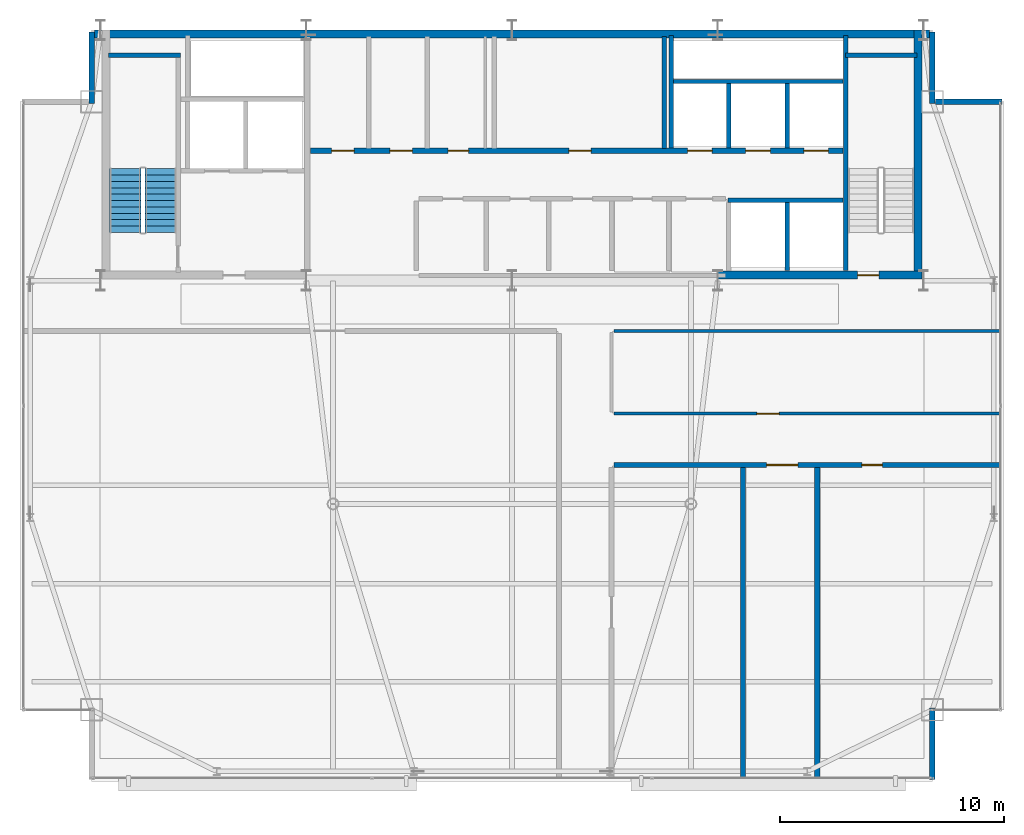
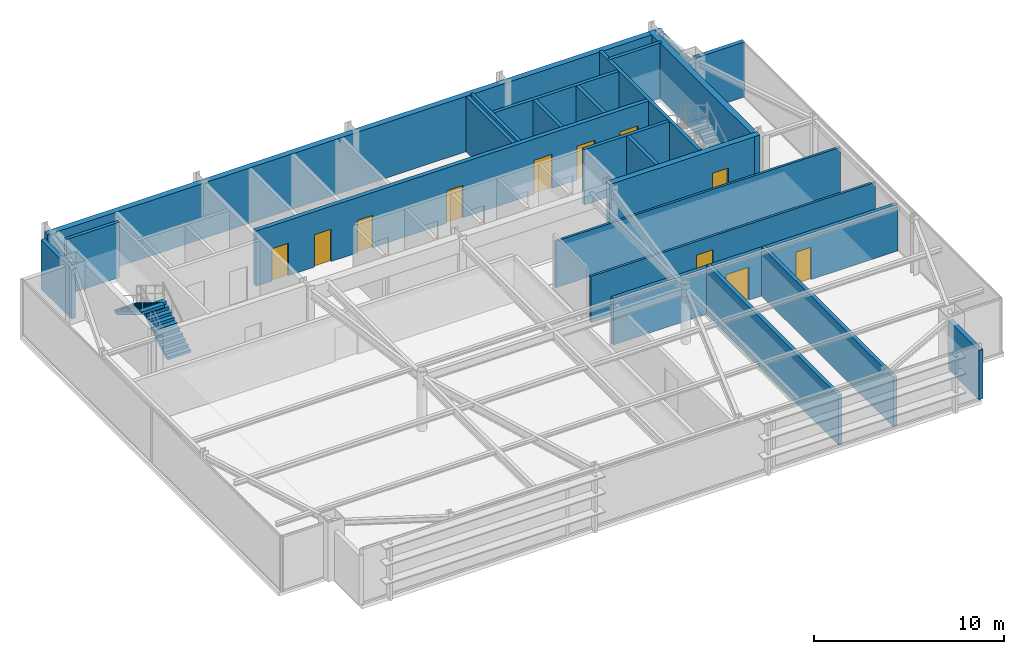
# One storey, part 22 of 24: 23 walls, 11 doors, 2 stair flights, 11 openings, 1 element without a shape of its own.
"""IFC4 building model written with IfcOpenShell, lengths in metres."""

from ifc_helpers import new_model, si_unit, direction, frame, frame_2d, origin, place, context, subcontext, project, spatial, polyline, rectangle, outline, extrude, source, transform, mapped, material, layer, layer_set, type_object, type_shapes, element, fill, aggregate, save


model = new_model("IFC4")

# Units and contexts
model_context = context("Model", 3, precision=1e-05, world=origin(), true_north=direction((0.0, 1.0)))
body_context = subcontext(model_context, "Body", "Model", "MODEL_VIEW")
ifc_project = project(units=[si_unit("LENGTHUNIT", "METRE"), si_unit("AREAUNIT", "SQUARE_METRE"), si_unit("VOLUMEUNIT", "CUBIC_METRE"), si_unit("PLANEANGLEUNIT", "RADIAN"), si_unit("MASSUNIT", "GRAM", prefix="KILO")], contexts=[model_context])

# Site, building, storey
site_placement = place(None, origin())
site = spatial("IfcSite", under=ifc_project, at=site_placement, CompositionType="ELEMENT")
building_placement = place(site_placement, origin())
building = spatial("IfcBuilding", under=site, at=building_placement, Name="Varnel Quay Broadcast Tower", CompositionType="ELEMENT")
storey_placement = place(building_placement, frame((0.0, 0.0, 285.0)))
storey = spatial("IfcBuildingStorey", under=building, at=storey_placement, Name="L71", CompositionType="ELEMENT", Elevation=285.0)

# Walls
ifc_material_1 = material(Name="Concrete CSA A23.3 C50/60", Category="concrete")
ifc_layer_1 = layer(ifc_material_1, 0.199951171875, Name="Concrete CSA A23.3 C50/60")
ifc_layer_set_1 = layer_set([ifc_layer_1], Name="Concrete CSA A23.3 C50/60")
wall_type_1 = type_object("IfcWallType", Name="Wall_CoreShaftShear200", PredefinedType="SHEAR", material=ifc_layer_set_1)
wall_1_placement = place(storey_placement, frame((15.949951171875, 45.679931640625, 0.0), z_axis=(0.0, 0.0, 1.0), x_axis=(1.0, 0.0, 0.0)))
element("IfcWall", 1, at=wall_1_placement, inside=storey, type_object=wall_type_1, Name="L71 Stair 1 North Structural Wall", PredefinedType="SHEAR", context=body_context, shape_type="SweptSolid", body=[
    extrude(rectangle(XDim=3.22998046875, YDim=0.199951171875, at=frame_2d((1.614990234375, 0.0))), origin(), (0.0, 0.0, 1.0), 3.550048828125),
])
wall_2_placement = place(storey_placement, frame((48.919921875, 36.050048828125, 0.0), z_axis=(0.0, 0.0, 1.0), x_axis=(0.0, 1.0, 0.0)))
element("IfcWall", 2, at=wall_2_placement, inside=storey, type_object=wall_type_1, Name="L71 Stair 2 West Structural Wall", PredefinedType="SHEAR", context=body_context, shape_type="SweptSolid", body=[
    extrude(rectangle(XDim=10.5, YDim=0.199951171875, at=frame_2d((5.25, 0.0))), origin(), (0.0, 0.0, 1.0), 3.550048828125),
])
wall_3_placement = place(storey_placement, frame((48.919921875, 45.679931640625, 0.0), z_axis=(0.0, 0.0, 1.0), x_axis=(1.0, 0.0, 0.0)))
element("IfcWall", 3, at=wall_3_placement, inside=storey, type_object=wall_type_1, Name="L71 Stair 2 North Structural Wall", PredefinedType="SHEAR", context=body_context, shape_type="SweptSolid", body=[
    extrude(rectangle(XDim=3.18017578125, YDim=0.199951171875, at=frame_2d((1.590087890625, 0.0))), origin(), (0.0, 0.0, 1.0), 3.550048828125),
])
wall_4_placement = place(storey_placement, frame((41.219970703125, 44.5, 0.0), z_axis=(0.0, 0.0, 1.0), x_axis=(1.0, 0.0, 0.0)))
element("IfcWall", 4, at=wall_4_placement, inside=storey, type_object=wall_type_1, Name="L71 High-Rise Lift Shaft Rear Wall", PredefinedType="SHEAR", context=body_context, shape_type="SweptSolid", body=[
    extrude(rectangle(XDim=7.580078125, YDim=0.199951171875, at=frame_2d((3.7900390625, 0.0))), origin(), (0.0, 0.0, 1.0), 3.550048828125),
])
wall_5_placement = place(storey_placement, frame((41.1201171875, 41.530029296875, 0.0), z_axis=(0.0, 0.0, 1.0), x_axis=(0.0, 1.0, 0.0)))
element("IfcWall", 5, at=wall_5_placement, inside=storey, type_object=wall_type_1, Name="L71 High-Rise Lift Shaft Divider 1", PredefinedType="SHEAR", context=body_context, shape_type="SweptSolid", body=[
    extrude(rectangle(XDim=5.02001953125, YDim=0.199951171875, at=frame_2d((2.510009765625, 0.0))), origin(), (0.0, 0.0, 1.0), 3.550048828125),
])
for number, where, z_axis, x_axis, name in (
    (6, (43.699951171875, 41.530029296875, 0.0), (0.0, 0.0, 1.0), (0.0, 1.0, 0.0), "L71 High-Rise Lift Shaft Divider 2"),
    (7, (46.300048828125, 41.530029296875, 0.0), (0.0, 0.0, 1.0), (0.0, 1.0, 0.0), "L71 High-Rise Lift Shaft Divider 3"),
):
    element("IfcWall", number, at=place(storey_placement, frame(where, z_axis=z_axis, x_axis=x_axis)), inside=storey, type_object=wall_type_1, Name=name, PredefinedType="SHEAR", context=body_context, shape_type="SweptSolid", body=[
        extrude(rectangle(XDim=2.869873046875, YDim=0.199951171875, at=frame_2d((1.43505859375, 0.0))), origin(), (0.0, 0.0, 1.0), 3.550048828125),
    ])
wall_6_placement = place(storey_placement, frame((46.300048828125, 36.050048828125, 0.0), z_axis=(0.0, 0.0, 1.0), x_axis=(0.0, 1.0, 0.0)))
element("IfcWall", 8, at=wall_6_placement, inside=storey, type_object=wall_type_1, Name="L71 Express Lift Shaft Divider", PredefinedType="SHEAR", context=body_context, shape_type="SweptSolid", body=[
    extrude(rectangle(XDim=3.050048828125, YDim=0.199951171875, at=frame_2d((1.52490234375, 0.0))), origin(), (0.0, 0.0, 1.0), 3.550048828125),
])
wall_7_placement = place(storey_placement, frame((43.64990234375, 39.199951171875, 0.0), z_axis=(0.0, 0.0, 1.0), x_axis=(1.0, 0.0, 0.0)))
element("IfcWall", 9, at=wall_7_placement, inside=storey, type_object=wall_type_1, Name="L71 Express Lift Shaft North Front Wall", PredefinedType="SHEAR", context=body_context, shape_type="SweptSolid", body=[
    extrude(rectangle(XDim=5.150146484375, YDim=0.199951171875, at=frame_2d((2.5751953125, 0.0))), origin(), (0.0, 0.0, 1.0), 3.550048828125),
])

# Wall, openings, doors
ifc_layer_2 = layer(ifc_material_1, 0.25, Name="Concrete CSA A23.3 C50/60")
ifc_layer_set_2 = layer_set([ifc_layer_2], Name="Concrete CSA A23.3 C50/60")
wall_type_2 = type_object("IfcWallType", Name="Wall_CoreShaftShear250", PredefinedType="SHEAR", material=ifc_layer_set_2)
wall_8_placement = place(storey_placement, frame((24.97998046875, 41.39990234375, 0.0), z_axis=(0.0, 0.0, 1.0), x_axis=(1.0, 0.0, 0.0)))
wall_8 = element("IfcWall", 10, at=wall_8_placement, inside=storey, type_object=wall_type_2, Name="L71 North Lift Bank & Reclaimed Suite Wall", PredefinedType="SHEAR", context=body_context, shape_type="SweptSolid", body=[
    extrude(rectangle(XDim=23.820068359375, YDim=0.25, at=frame_2d((11.91015625, 0.0))), origin(), (0.0, 0.0, 1.0), 3.550048828125),
])
opening_1_placement = place(wall_8_placement, frame((16.8701171875, 0.0, 0.0)))
opening_1 = element("IfcOpeningElement", 11, at=opening_1_placement, cuts=wall_8, Name="Opening LD-L71-PH-01", PredefinedType="OPENING", context=body_context, shape_type="SweptSolid", body=[
    extrude(rectangle(XDim=1.10009765625, YDim=2.179931640625, at=frame_2d((0.550048828125, 1.08984375))), frame((0.0, 0.135009765625, 0.0), z_axis=(0.0, -1.0, 0.0), x_axis=(1.0, 0.0, 0.0)), (0.0, 0.0, 1.0), 0.27001953125),
])
opening_2_placement = place(wall_8_placement, frame((19.469970703125, 0.0, 0.0)))
opening_2 = element("IfcOpeningElement", 12, at=opening_2_placement, cuts=wall_8, Name="Opening LD-L71-PH-02", PredefinedType="OPENING", context=body_context, shape_type="SweptSolid", body=[
    extrude(rectangle(XDim=1.10009765625, YDim=2.179931640625, at=frame_2d((0.550048828125, 1.08984375))), frame((0.0, 0.135009765625, 0.0), z_axis=(0.0, -1.0, 0.0), x_axis=(1.0, 0.0, 0.0)), (0.0, 0.0, 1.0), 0.27001953125),
])
opening_3_placement = place(wall_8_placement, frame((22.070068359375, 0.0, 0.0)))
opening_3 = element("IfcOpeningElement", 13, at=opening_3_placement, cuts=wall_8, Name="Opening LD-L71-PH-03", PredefinedType="OPENING", context=body_context, shape_type="SweptSolid", body=[
    extrude(rectangle(XDim=1.10009765625, YDim=2.179931640625, at=frame_2d((0.550048828125, 1.08984375))), frame((0.0, 0.135009765625, 0.0), z_axis=(0.0, -1.0, 0.0), x_axis=(1.0, 0.0, 0.0)), (0.0, 0.0, 1.0), 0.27001953125),
])
opening_4_placement = place(wall_8_placement, frame((0.9599609375, 0.0, 0.0)))
opening_4 = element("IfcOpeningElement", 14, at=opening_4_placement, cuts=wall_8, Name="Opening D-L71-RECA1", PredefinedType="OPENING", context=body_context, shape_type="SweptSolid", body=[
    extrude(rectangle(XDim=1.0, YDim=2.080078125, at=frame_2d((0.5, 1.0400390625))), frame((0.0, 0.135009765625, 0.0), z_axis=(0.0, -1.0, 0.0), x_axis=(1.0, 0.0, 0.0)), (0.0, 0.0, 1.0), 0.27001953125),
])
opening_5_placement = place(wall_8_placement, frame((3.56005859375, 0.0, 0.0)))
opening_5 = element("IfcOpeningElement", 15, at=opening_5_placement, cuts=wall_8, Name="Opening D-L71-RECA2", PredefinedType="OPENING", context=body_context, shape_type="SweptSolid", body=[
    extrude(rectangle(XDim=1.0, YDim=2.080078125, at=frame_2d((0.5, 1.0400390625))), frame((0.0, 0.135009765625, 0.0), z_axis=(0.0, -1.0, 0.0), x_axis=(1.0, 0.0, 0.0)), (0.0, 0.0, 1.0), 0.27001953125),
])
opening_6_placement = place(wall_8_placement, frame((6.159912109375, 0.0, 0.0)))
opening_6 = element("IfcOpeningElement", 16, at=opening_6_placement, cuts=wall_8, Name="Opening D-L71-RECA3", PredefinedType="OPENING", context=body_context, shape_type="SweptSolid", body=[
    extrude(rectangle(XDim=0.919921875, YDim=2.080078125, at=frame_2d((0.4599609375, 1.0400390625))), frame((0.0, 0.135009765625, 0.0), z_axis=(0.0, -1.0, 0.0), x_axis=(1.0, 0.0, 0.0)), (0.0, 0.0, 1.0), 0.27001953125),
])
opening_7_placement = place(wall_8_placement, frame((11.56005859375, 0.0, 0.0)))
opening_7 = element("IfcOpeningElement", 17, at=opening_7_placement, cuts=wall_8, Name="Opening D-L71-RECB1", PredefinedType="OPENING", context=body_context, shape_type="SweptSolid", body=[
    extrude(rectangle(XDim=1.0, YDim=2.080078125, at=frame_2d((0.5, 1.0400390625))), frame((0.0, 0.135009765625, 0.0), z_axis=(0.0, -1.0, 0.0), x_axis=(1.0, 0.0, 0.0)), (0.0, 0.0, 1.0), 0.27001953125),
])
ifc_material_2 = material(Name="Brushed Bronze-Stainless Lift Car & Sliding Doors", Category="steel")
door_type_1 = type_object("IfcDoorType", Name="Door_LiftLanding1100", OperationType="SLIDING_TO_LEFT", PredefinedType="DOOR", material=ifc_material_2)
shared_shape_1 = source(origin(), body_context, "Body", "SweptSolid", [
    extrude(rectangle(XDim=1.10009765625, YDim=2.179931640625, at=frame_2d((0.550048828125, 1.08984375))), frame((0.0, 0.02490234375, 0.0), z_axis=(0.0, -1.0, 0.0), x_axis=(1.0, 0.0, 0.0)), (0.0, 0.0, 1.0), 0.050048828125),
])
type_shapes(door_type_1, [shared_shape_1])
door_1_placement = place(opening_1_placement, frame((1.10009765625, 0.0, 0.0), z_axis=(0.0, 0.0, 1.0), x_axis=(-1.0, 0.0, 0.0)))
door_1 = element("IfcDoor", 18, at=door_1_placement, inside=storey, type_object=door_type_1, Name="L71 Lift PH-01 Landing Door", OperationType="SLIDING_TO_LEFT", OverallHeight=2.179931640625, OverallWidth=1.10009765625, PredefinedType="DOOR", context=body_context, shape_type="MappedRepresentation", body=[
    mapped(shared_shape_1, transform((0.0, 0.0, 0.0), x_axis=(1.0, 0.0, 0.0), y_axis=(0.0, 1.0, 0.0), z_axis=(0.0, 0.0, 1.0), scale=1.0)),
])
fill(opening_1, door_1)
door_2_placement = place(opening_2_placement, frame((1.10009765625, 0.0, 0.0), z_axis=(0.0, 0.0, 1.0), x_axis=(-1.0, 0.0, 0.0)))
door_2 = element("IfcDoor", 19, at=door_2_placement, inside=storey, type_object=door_type_1, Name="L71 Lift PH-02 Landing Door", OperationType="SLIDING_TO_LEFT", OverallHeight=2.179931640625, OverallWidth=1.10009765625, PredefinedType="DOOR", context=body_context, shape_type="MappedRepresentation", body=[
    mapped(shared_shape_1, transform((0.0, 0.0, 0.0), x_axis=(1.0, 0.0, 0.0), y_axis=(0.0, 1.0, 0.0), z_axis=(0.0, 0.0, 1.0), scale=1.0)),
])
fill(opening_2, door_2)
door_3_placement = place(opening_3_placement, frame((1.10009765625, 0.0, 0.0), z_axis=(0.0, 0.0, 1.0), x_axis=(-1.0, 0.0, 0.0)))
door_3 = element("IfcDoor", 20, at=door_3_placement, inside=storey, type_object=door_type_1, Name="L71 Lift PH-03 Landing Door", OperationType="SLIDING_TO_LEFT", OverallHeight=2.179931640625, OverallWidth=1.10009765625, PredefinedType="DOOR", context=body_context, shape_type="MappedRepresentation", body=[
    mapped(shared_shape_1, transform((0.0, 0.0, 0.0), x_axis=(1.0, 0.0, 0.0), y_axis=(0.0, 1.0, 0.0), z_axis=(0.0, 0.0, 1.0), scale=1.0)),
])
fill(opening_3, door_3)
ifc_material_3 = material(Name="Insulated Fire-Rated Hollow Steel Door", Category="steel")
door_type_2 = type_object("IfcDoorType", Name="Door_FireLobby1000", OperationType="NOTDEFINED", PredefinedType="DOOR", material=ifc_material_3)
shared_shape_2 = source(origin(), body_context, "Body", "SweptSolid", [
    extrude(rectangle(XDim=1.0, YDim=2.080078125, at=frame_2d((0.5, 1.0400390625))), frame((0.0, 0.02490234375, 0.0), z_axis=(0.0, -1.0, 0.0), x_axis=(1.0, 0.0, 0.0)), (0.0, 0.0, 1.0), 0.050048828125),
])
type_shapes(door_type_2, [shared_shape_2])
door_4_placement = place(opening_4_placement, origin())
door_4 = element("IfcDoor", 21, at=door_4_placement, inside=storey, type_object=door_type_2, Name="L71 Ingest Rack Bay A Door", OperationType="SINGLE_SWING_LEFT", OverallHeight=2.080078125, OverallWidth=1.0, PredefinedType="DOOR", context=body_context, shape_type="MappedRepresentation", body=[
    mapped(shared_shape_2, transform((0.0, 0.0, 0.0), x_axis=(1.0, 0.0, 0.0), y_axis=(0.0, 1.0, 0.0), z_axis=(0.0, 0.0, 1.0), scale=1.0)),
])
fill(opening_4, door_4)
door_5_placement = place(opening_5_placement, origin())
door_5 = element("IfcDoor", 22, at=door_5_placement, inside=storey, type_object=door_type_2, Name="L71 Fiber Patch Bay Door", OperationType="SINGLE_SWING_RIGHT", OverallHeight=2.080078125, OverallWidth=1.0, PredefinedType="DOOR", context=body_context, shape_type="MappedRepresentation", body=[
    mapped(shared_shape_2, transform((0.0, 0.0, 0.0), x_axis=(1.0, 0.0, 0.0), y_axis=(0.0, 1.0, 0.0), z_axis=(0.0, 0.0, 1.0), scale=1.0)),
])
fill(opening_5, door_5)
door_6_placement = place(opening_7_placement, origin())
door_6 = element("IfcDoor", 23, at=door_6_placement, inside=storey, type_object=door_type_2, Name="L71 High-Zone Broadcast Rack Hall Door", OperationType="SINGLE_SWING_RIGHT", OverallHeight=2.080078125, OverallWidth=1.0, PredefinedType="DOOR", context=body_context, shape_type="MappedRepresentation", body=[
    mapped(shared_shape_2, transform((0.0, 0.0, 0.0), x_axis=(1.0, 0.0, 0.0), y_axis=(0.0, 1.0, 0.0), z_axis=(0.0, 0.0, 1.0), scale=1.0)),
])
fill(opening_7, door_6)
ifc_material_4 = material(Name="Solid-Core Fire-Rated Acoustic Oak Veneer Door", Category="wood")
door_type_3 = type_object("IfcDoorType", Name="Door_Office920", OperationType="NOTDEFINED", PredefinedType="DOOR", material=ifc_material_4)
shared_shape_3 = source(origin(), body_context, "Body", "SweptSolid", [
    extrude(rectangle(XDim=0.919921875, YDim=2.080078125, at=frame_2d((0.4599609375, 1.0400390625))), frame((0.0, 0.02490234375, 0.0), z_axis=(0.0, -1.0, 0.0), x_axis=(1.0, 0.0, 0.0)), (0.0, 0.0, 1.0), 0.050048828125),
])
type_shapes(door_type_3, [shared_shape_3])
door_7_placement = place(opening_6_placement, origin())
door_7 = element("IfcDoor", 24, at=door_7_placement, inside=storey, type_object=door_type_3, Name="L71 Telemetry Store Door", OperationType="SINGLE_SWING_LEFT", OverallHeight=2.080078125, OverallWidth=0.919921875, PredefinedType="DOOR", context=body_context, shape_type="MappedRepresentation", body=[
    mapped(shared_shape_3, transform((0.0, 0.0, 0.0), x_axis=(1.0, 0.0, 0.0), y_axis=(0.0, 1.0, 0.0), z_axis=(0.0, 0.0, 1.0), scale=1.0)),
])
fill(opening_6, door_7)

# Walls
ifc_layer_3 = layer(ifc_material_1, 0.35009765625, Name="Concrete CSA A23.3 C50/60")
ifc_layer_set_3 = layer_set([ifc_layer_3], Name="Concrete CSA A23.3 C50/60")
wall_type_3 = type_object("IfcWallType", Name="Wall_CoreShearExt350", PredefinedType="SHEAR", material=ifc_layer_set_3)
wall_9_placement = place(storey_placement, frame((15.324951171875, 46.625, 0.0), z_axis=(0.0, 0.0, 1.0), x_axis=(1.0, 0.0, 0.0)))
element("IfcWall", 25, at=wall_9_placement, inside=storey, type_object=wall_type_3, Name="L71 North Core Shear Wall", PredefinedType="SHEAR", context=body_context, shape_type="SweptSolid", body=[
    extrude(rectangle(XDim=37.35009765625, YDim=0.35009765625, at=frame_2d((18.675048828125, 0.0))), origin(), (0.0, 0.0, 1.0), 3.550048828125),
])
ifc_layer_4 = layer(ifc_material_1, 0.35009765625, Name="Concrete CSA A23.3 C50/60")
ifc_layer_set_4 = layer_set([ifc_layer_4], Name="Concrete CSA A23.3 C50/60")
wall_type_4 = type_object("IfcWallType", Name="Wall_CoreShearInt350", PredefinedType="SHEAR", material=ifc_layer_set_4)
wall_10_placement = place(storey_placement, frame((52.155029296875, 35.669921875, 0.0), z_axis=(0.0, 0.0, 1.0), x_axis=(0.0, 1.0, 0.0)))
element("IfcWall", 26, at=wall_10_placement, inside=storey, type_object=wall_type_4, Name="L71 East Core Shear Wall", PredefinedType="SHEAR", context=body_context, shape_type="SweptSolid", body=[
    extrude(rectangle(XDim=11.130126953125, YDim=0.35009765625, at=frame_2d((5.56494140625, 0.0))), origin(), (0.0, 0.0, 1.0), 3.550048828125),
])

# Wall, opening, door
wall_11_placement = place(storey_placement, frame((43.199951171875, 35.844970703125, 0.0), z_axis=(0.0, 0.0, 1.0), x_axis=(1.0, 0.0, 0.0)))
wall_11 = element("IfcWall", 27, at=wall_11_placement, inside=storey, type_object=wall_type_4, Name="L71 South-East Core Shear Wall", PredefinedType="SHEAR", context=body_context, shape_type="SweptSolid", body=[
    extrude(rectangle(XDim=9.130126953125, YDim=0.35009765625, at=frame_2d((4.56494140625, 0.0))), origin(), (0.0, 0.0, 1.0), 3.550048828125),
])
opening_8_placement = place(wall_11_placement, frame((6.25, 0.0, 0.0)))
opening_8 = element("IfcOpeningElement", 28, at=opening_8_placement, cuts=wall_11, Name="Opening D-L71-S2", PredefinedType="OPENING", context=body_context, shape_type="SweptSolid", body=[
    extrude(rectangle(XDim=0.949951171875, YDim=2.10009765625, at=frame_2d((0.47509765625, 1.050048828125))), frame((0.0, 0.18505859375, 0.0), z_axis=(0.0, -1.0, 0.0), x_axis=(1.0, 0.0, 0.0)), (0.0, 0.0, 1.0), 0.3701171875),
])
door_type_4 = type_object("IfcDoorType", Name="Door_FireStair950", OperationType="NOTDEFINED", PredefinedType="DOOR", material=ifc_material_3)
shared_shape_4 = source(origin(), body_context, "Body", "SweptSolid", [
    extrude(rectangle(XDim=0.949951171875, YDim=2.10009765625, at=frame_2d((0.47509765625, 1.050048828125))), frame((0.0, 0.02490234375, 0.0), z_axis=(0.0, -1.0, 0.0), x_axis=(1.0, 0.0, 0.0)), (0.0, 0.0, 1.0), 0.050048828125),
])
type_shapes(door_type_4, [shared_shape_4])
door_8_placement = place(opening_8_placement, origin())
door_8 = element("IfcDoor", 29, at=door_8_placement, inside=storey, type_object=door_type_4, Name="L71 Stair 2 Fire Door", OperationType="SINGLE_SWING_RIGHT", OverallHeight=2.10009765625, OverallWidth=0.949951171875, PredefinedType="DOOR", context=body_context, shape_type="MappedRepresentation", body=[
    mapped(shared_shape_4, transform((0.0, 0.0, 0.0), x_axis=(1.0, 0.0, 0.0), y_axis=(0.0, 1.0, 0.0), z_axis=(0.0, 0.0, 1.0), scale=1.0)),
])
fill(opening_8, door_8)

# Walls
ifc_material_5 = material(Name="Precast Architectural Concrete C40/50", Category="concrete")
ifc_layer_5 = layer(ifc_material_5, 0.25, Name="Precast Architectural Concrete C40/50")
ifc_layer_set_5 = layer_set([ifc_layer_5], Name="Precast Architectural Concrete C40/50")
wall_type_5 = type_object("IfcWallType", Name="Wall_ExtTerrace250", PredefinedType="SOLIDWALL", material=ifc_layer_set_5)
for number, where, z_axis, x_axis, name in (
    (30, (52.800048828125, 13.280029296875, 0.0), (0.0, 0.0, 1.0), (0.0, 1.0, 0.0), "L71 Mega-Column Notch Cladding Wall NSE2"),
    (31, (15.199951171875, 43.52001953125, 0.0), (0.0, 0.0, 1.0), (0.0, 1.0, 0.0), "L71 Mega-Column Notch Cladding Wall NNW2"),
):
    element("IfcWall", number, at=place(storey_placement, frame(where, z_axis=z_axis, x_axis=x_axis)), inside=storey, type_object=wall_type_5, Name=name, PredefinedType="SOLIDWALL", context=body_context, shape_type="SweptSolid", body=[
        extrude(rectangle(XDim=3.199951171875, YDim=0.25, at=frame_2d((1.60009765625, 0.0))), origin(), (0.0, 0.0, 1.0), 3.1708984375),
    ])
wall_12_placement = place(storey_placement, frame((52.929931640625, 43.60009765625, 0.0), z_axis=(0.0, 0.0, 1.0), x_axis=(1.0, 0.0, 0.0)))
element("IfcWall", 32, at=wall_12_placement, inside=storey, type_object=wall_type_5, Name="L71 Mega-Column Notch Cladding Wall NNE1", PredefinedType="SOLIDWALL", context=body_context, shape_type="SweptSolid", body=[
    extrude(rectangle(XDim=2.989990234375, YDim=0.25, at=frame_2d((1.4951171875, 0.0))), origin(), (0.0, 0.0, 1.0), 3.530029296875),
])
wall_13_placement = place(storey_placement, frame((52.800048828125, 43.52001953125, 0.0), z_axis=(0.0, 0.0, 1.0), x_axis=(0.0, 1.0, 0.0)))
element("IfcWall", 33, at=wall_13_placement, inside=storey, type_object=wall_type_5, Name="L71 Mega-Column Notch Cladding Wall NNE2", PredefinedType="SOLIDWALL", context=body_context, shape_type="SweptSolid", body=[
    extrude(rectangle(XDim=3.199951171875, YDim=0.25, at=frame_2d((1.60009765625, 0.0))), origin(), (0.0, 0.0, 1.0), 3.1708984375),
])
ifc_material_6 = material(Name="Concrete Blockwork Fire Enclosure C40/50", Category="masonry")
ifc_layer_6 = layer(ifc_material_6, 0.199951171875, Name="Concrete Blockwork Fire Enclosure C40/50")
ifc_layer_set_6 = layer_set([ifc_layer_6], Name="Concrete Blockwork Fire Enclosure C40/50")
wall_type_6 = type_object("IfcWallType", Name="Wall_FireShaft200", PredefinedType="SOLIDWALL", material=ifc_layer_set_6)
wall_14_placement = place(storey_placement, frame((40.800048828125, 41.5, 0.0), z_axis=(0.0, 0.0, 1.0), x_axis=(0.0, 1.0, 0.0)))
element("IfcWall", 34, at=wall_14_placement, inside=storey, type_object=wall_type_6, Name="L71 High-Zone Broadcast Rack Hall Partition 20", PredefinedType="SOLIDWALL", context=body_context, shape_type="SweptSolid", body=[
    extrude(rectangle(XDim=5.02001953125, YDim=0.199951171875, at=frame_2d((2.510009765625, 0.0))), origin(), (0.0, 0.0, 1.0), 3.530029296875),
])

# Wall, opening, door
ifc_material_7 = material(Name="Steel-Stud Fire-Rated Acoustic Gypsum Partition Assembly", Category="steel")
ifc_layer_7 = layer(ifc_material_7, 0.139892578125, Name="Steel-Stud Fire-Rated Acoustic Gypsum Partition Assembly")
ifc_layer_set_7 = layer_set([ifc_layer_7], Name="Steel-Stud Fire-Rated Acoustic Gypsum Partition Assembly")
wall_type_7 = type_object("IfcWallType", Name="Wall_Partition140", PredefinedType="PARTITIONING", material=ifc_layer_set_7)
wall_15_placement = place(storey_placement, frame((38.550048828125, 29.64990234375, 0.0), z_axis=(0.0, 0.0, 1.0), x_axis=(1.0, 0.0, 0.0)))
wall_15 = element("IfcWall", 35, at=wall_15_placement, inside=storey, type_object=wall_type_7, Name="L71 Talent Lounge 5 Partition 14", PredefinedType="PARTITIONING", context=body_context, shape_type="SweptSolid", body=[
    extrude(rectangle(XDim=17.27001953125, YDim=0.139892578125, at=frame_2d((8.635009765625, 0.0))), origin(), (0.0, 0.0, 1.0), 2.98095703125),
])
opening_9_placement = place(wall_15_placement, frame((6.39990234375, 0.0, 0.0)))
opening_9 = element("IfcOpeningElement", 36, at=opening_9_placement, cuts=wall_15, Name="Opening D-L71-10", PredefinedType="OPENING", context=body_context, shape_type="SweptSolid", body=[
    extrude(rectangle(XDim=1.0, YDim=2.10009765625, at=frame_2d((0.5, 1.050048828125))), frame((0.0, 0.080078125, 0.0), z_axis=(0.0, -1.0, 0.0), x_axis=(1.0, 0.0, 0.0)), (0.0, 0.0, 1.0), 0.159912109375),
])
door_type_5 = type_object("IfcDoorType", Name="Door_Exec1000", OperationType="NOTDEFINED", PredefinedType="DOOR", material=ifc_material_4)
shared_shape_5 = source(origin(), body_context, "Body", "SweptSolid", [
    extrude(rectangle(XDim=1.0, YDim=2.10009765625, at=frame_2d((0.5, 1.050048828125))), frame((0.0, 0.02490234375, 0.0), z_axis=(0.0, -1.0, 0.0), x_axis=(1.0, 0.0, 0.0)), (0.0, 0.0, 1.0), 0.050048828125),
])
type_shapes(door_type_5, [shared_shape_5])
door_9_placement = place(opening_9_placement, origin())
door_9 = element("IfcDoor", 37, at=door_9_placement, inside=storey, type_object=door_type_5, Name="L71 Talent Lounge 5 Door D-L71-10", OperationType="SINGLE_SWING_LEFT", OverallHeight=2.10009765625, OverallWidth=1.0, PredefinedType="DOOR", context=body_context, shape_type="MappedRepresentation", body=[
    mapped(shared_shape_5, transform((0.0, 0.0, 0.0), x_axis=(1.0, 0.0, 0.0), y_axis=(0.0, 1.0, 0.0), z_axis=(0.0, 0.0, 1.0), scale=1.0)),
])
fill(opening_9, door_9)

# Walls
wall_16_placement = place(storey_placement, frame((38.550048828125, 33.35009765625, 0.0), z_axis=(0.0, 0.0, 1.0), x_axis=(1.0, 0.0, 0.0)))
element("IfcWall", 38, at=wall_16_placement, inside=storey, type_object=wall_type_7, Name="L71 Talent Lounge 5 Partition 15", PredefinedType="PARTITIONING", context=body_context, shape_type="SweptSolid", body=[
    extrude(rectangle(XDim=17.27001953125, YDim=0.139892578125, at=frame_2d((8.635009765625, 0.0))), origin(), (0.0, 0.0, 1.0), 2.98095703125),
])
ifc_layer_8 = layer(ifc_material_7, 0.22509765625, Name="Steel-Stud Fire-Rated Acoustic Gypsum Partition Assembly")
ifc_layer_set_8 = layer_set([ifc_layer_8], Name="Steel-Stud Fire-Rated Acoustic Gypsum Partition Assembly")
wall_type_8 = type_object("IfcWallType", Name="Wall_Partition225", PredefinedType="PARTITIONING", material=ifc_layer_set_8)
wall_17_placement = place(storey_placement, frame((44.320068359375, 13.3798828125, 0.0), z_axis=(0.0, 0.0, 1.0), x_axis=(0.0, 1.0, 0.0)))
element("IfcWall", 39, at=wall_17_placement, inside=storey, type_object=wall_type_8, Name="L71 Foley Sound Studio 2 Partition 10", PredefinedType="PARTITIONING", context=body_context, shape_type="SweptSolid", body=[
    extrude(rectangle(XDim=13.858154296875, YDim=0.22509765625, at=frame_2d((6.92919921875, 0.0))), origin(), (0.0, 0.0, 1.0), 3.1708984375),
])

# Wall, openings, doors
wall_18_placement = place(storey_placement, frame((38.550048828125, 27.35009765625, 0.0), z_axis=(0.0, 0.0, 1.0), x_axis=(1.0, 0.0, 0.0)))
wall_18 = element("IfcWall", 40, at=wall_18_placement, inside=storey, type_object=wall_type_8, Name="L71 Foley Sound Studio 2 Partition 11", PredefinedType="PARTITIONING", context=body_context, shape_type="SweptSolid", body=[
    extrude(rectangle(XDim=17.27001953125, YDim=0.22509765625, at=frame_2d((8.635009765625, 0.0))), origin(), (0.0, 0.0, 1.0), 2.98095703125),
])
opening_10_placement = place(wall_18_placement, frame((6.8349609375, 0.0, 0.0)))
opening_10 = element("IfcOpeningElement", 41, at=opening_10_placement, cuts=wall_18, Name="Opening D-L71-08", PredefinedType="OPENING", context=body_context, shape_type="SweptSolid", body=[
    extrude(rectangle(XDim=1.39990234375, YDim=2.1201171875, at=frame_2d((0.699951171875, 1.06005859375))), frame((0.0, 0.12255859375, 0.0), z_axis=(0.0, -1.0, 0.0), x_axis=(1.0, 0.0, 0.0)), (0.0, 0.0, 1.0), 0.2451171875),
])
opening_11_placement = place(wall_18_placement, frame((11.090087890625, 0.0, 0.0)))
opening_11 = element("IfcOpeningElement", 42, at=opening_11_placement, cuts=wall_18, Name="Opening D-L71-09", PredefinedType="OPENING", context=body_context, shape_type="SweptSolid", body=[
    extrude(rectangle(XDim=0.919921875, YDim=2.080078125, at=frame_2d((0.4599609375, 1.0400390625))), frame((0.0, 0.12255859375, 0.0), z_axis=(0.0, -1.0, 0.0), x_axis=(1.0, 0.0, 0.0)), (0.0, 0.0, 1.0), 0.2451171875),
])
door_10_placement = place(opening_11_placement, frame((0.919921875, 0.0, 0.0), z_axis=(0.0, 0.0, 1.0), x_axis=(-1.0, 0.0, 0.0)))
door_10 = element("IfcDoor", 43, at=door_10_placement, inside=storey, type_object=door_type_3, Name="L71 Audio Control Room 4 Door D-L71-09", OperationType="SINGLE_SWING_RIGHT", OverallHeight=2.080078125, OverallWidth=0.919921875, PredefinedType="DOOR", context=body_context, shape_type="MappedRepresentation", body=[
    mapped(shared_shape_3, transform((0.0, 0.0, 0.0), x_axis=(1.0, 0.0, 0.0), y_axis=(0.0, 1.0, 0.0), z_axis=(0.0, 0.0, 1.0), scale=1.0)),
])
fill(opening_11, door_10)
door_type_6 = type_object("IfcDoorType", Name="Door_Gallery1400", OperationType="DOUBLE_DOOR_SINGLE_SWING", PredefinedType="DOOR", material=ifc_material_4)
shared_shape_6 = source(origin(), body_context, "Body", "SweptSolid", [
    extrude(rectangle(XDim=1.39990234375, YDim=2.1201171875, at=frame_2d((0.699951171875, 1.06005859375))), frame((0.0, 0.02490234375, 0.0), z_axis=(0.0, -1.0, 0.0), x_axis=(1.0, 0.0, 0.0)), (0.0, 0.0, 1.0), 0.050048828125),
])
type_shapes(door_type_6, [shared_shape_6])
door_11_placement = place(opening_10_placement, frame((1.39990234375, 0.0, 0.0), z_axis=(0.0, 0.0, 1.0), x_axis=(-1.0, 0.0, 0.0)))
door_11 = element("IfcDoor", 44, at=door_11_placement, inside=storey, type_object=door_type_6, Name="L71 Voice Booth 3 Door D-L71-08", OperationType="DOUBLE_DOOR_SINGLE_SWING", OverallHeight=2.1201171875, OverallWidth=1.39990234375, PredefinedType="DOOR", context=body_context, shape_type="MappedRepresentation", body=[
    mapped(shared_shape_6, transform((0.0, 0.0, 0.0), x_axis=(1.0, 0.0, 0.0), y_axis=(0.0, 1.0, 0.0), z_axis=(0.0, 0.0, 1.0), scale=1.0)),
])
fill(opening_10, door_11)

# Wall
wall_19_placement = place(storey_placement, frame((47.64990234375, 13.3798828125, 0.0), z_axis=(0.0, 0.0, 1.0), x_axis=(0.0, 1.0, 0.0)))
element("IfcWall", 45, at=wall_19_placement, inside=storey, type_object=wall_type_8, Name="L71 Voice Booth 3 Partition 13", PredefinedType="PARTITIONING", context=body_context, shape_type="SweptSolid", body=[
    extrude(rectangle(XDim=13.858154296875, YDim=0.22509765625, at=frame_2d((6.92919921875, 0.0))), origin(), (0.0, 0.0, 1.0), 3.1708984375),
])

# Stair, stair flights
ifc_material_8 = material(Name="Precast Structural Concrete C40/50", Category="concrete")
stair_type = type_object("IfcStairType", Name="Stair_ST-01", PredefinedType="HALF_TURN_STAIR", material=ifc_material_8)
stair_placement = place(storey_placement, origin())
stair = element("IfcStair", 46, at=stair_placement, inside=storey, type_object=stair_type, Name="L71 West Core Exit Stair 1", PredefinedType="HALF_TURN_STAIR")
stair_flight_type = type_object("IfcStairFlightType", Name="Flight_ST-01", PredefinedType="STRAIGHT", material=ifc_material_8)
stair_flight_1_placement = place(storey_placement, frame((18.300048828125, 37.75, 0.0), z_axis=(0.0, 0.0, 1.0), x_axis=(0.0, 1.0, 0.0)))
stair_flight_1 = element("IfcStairFlight", 47, at=stair_flight_1_placement, type_object=stair_flight_type, Name="ST-01 flight 1", NumberOfRisers=11, NumberOfTreads=10, PredefinedType="STRAIGHT", RiserHeight=0.172727273, TreadLength=0.285, context=body_context, shape_type="SweptSolid", body=[
    extrude(outline(polyline([(0.0, 0.0), (0.0, 0.172607421875), (0.284912109375, 0.172607421875), (0.284912109375, 0.345458984375), (0.570068359375, 0.345458984375), (0.570068359375, 0.51806640625), (0.85498046875, 0.51806640625), (0.85498046875, 0.69091796875), (1.139892578125, 0.69091796875), (1.139892578125, 0.863525390625), (1.425048828125, 0.863525390625), (1.425048828125, 1.036376953125), (1.7099609375, 1.036376953125), (1.7099609375, 1.208984375), (1.9951171875, 1.208984375), (1.9951171875, 1.3818359375), (2.280029296875, 1.3818359375), (2.280029296875, 1.554443359375), (2.56494140625, 1.554443359375), (2.56494140625, 1.727294921875), (2.85009765625, 1.727294921875), (2.85009765625, 1.89990234375), (2.85009765625, 1.552001953125), (0.289306640625, 0.0), (0.0, 0.0)])), frame((0.0, 0.699951171875, 0.0), z_axis=(0.0, -1.0, 0.0), x_axis=(1.0, 0.0, 0.0)), (0.0, 0.0, 1.0), 1.39990234375),
])
stair_flight_2_placement = place(storey_placement, frame((16.699951171875, 40.60009765625, 1.89990234375), z_axis=(0.0, 0.0, 1.0), x_axis=(0.0, -1.0, 0.0)))
stair_flight_2 = element("IfcStairFlight", 48, at=stair_flight_2_placement, type_object=stair_flight_type, Name="ST-01 flight 2", NumberOfRisers=11, NumberOfTreads=10, PredefinedType="STRAIGHT", RiserHeight=0.172727273, TreadLength=0.285, context=body_context, shape_type="SweptSolid", body=[
    extrude(outline(polyline([(0.0, 0.0), (0.0, 0.172607421875), (0.284912109375, 0.172607421875), (0.284912109375, 0.345458984375), (0.570068359375, 0.345458984375), (0.570068359375, 0.51806640625), (0.85498046875, 0.51806640625), (0.85498046875, 0.69091796875), (1.139892578125, 0.69091796875), (1.139892578125, 0.863525390625), (1.425048828125, 0.863525390625), (1.425048828125, 1.036376953125), (1.7099609375, 1.036376953125), (1.7099609375, 1.208984375), (1.9951171875, 1.208984375), (1.9951171875, 1.3818359375), (2.280029296875, 1.3818359375), (2.280029296875, 1.554443359375), (2.56494140625, 1.554443359375), (2.56494140625, 1.727294921875), (2.85009765625, 1.727294921875), (2.85009765625, 1.89990234375), (2.85009765625, 1.552001953125), (0.289306640625, 0.0), (0.0, 0.0)])), frame((0.0, 0.699951171875, 0.0), z_axis=(0.0, -1.0, 0.0), x_axis=(1.0, 0.0, 0.0)), (0.0, 0.0, 1.0), 1.39990234375),
])
aggregate(stair, [stair_flight_1, stair_flight_2])

save(model, "model.ifc")
